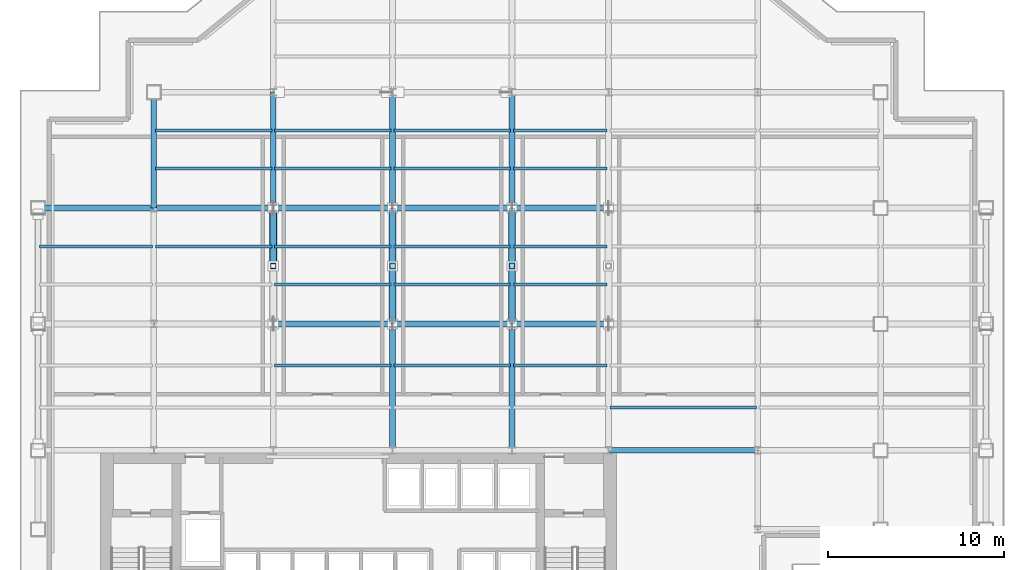
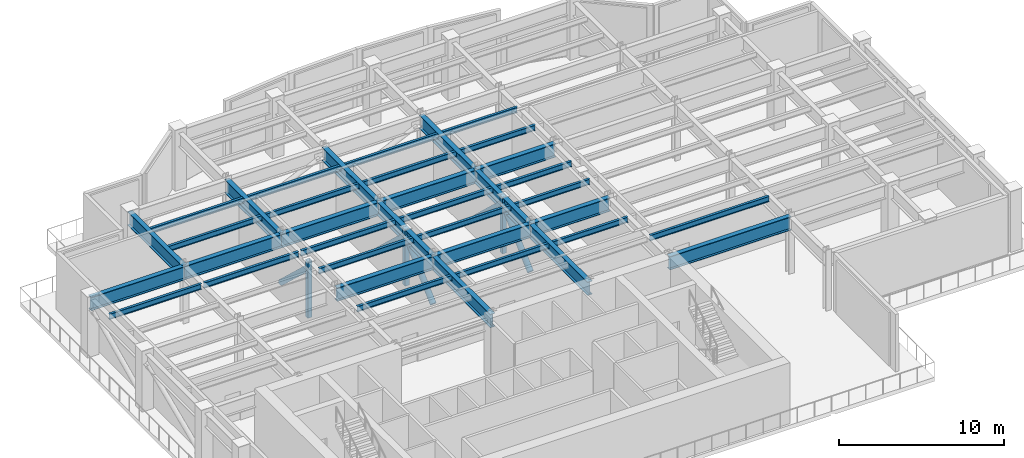
# One storey, part 2 of 12: 37 beams, 8 members.
"""IFC4 building model written with IfcOpenShell, lengths in metres."""

from ifc_helpers import new_model, si_unit, derived_unit, direction, frame, origin, origin_2d, place, context, subcontext, project, spatial, hollow_rectangle, hollow_circle, i_section, extrude, source, transform, mapped, material, material_profile, profile_set, type_object, element, save


model = new_model("IFC4")

# Units and contexts
model_context = context("Model", 3, precision=1e-05, world=origin(), true_north=direction((0.0, 1.0)))
body_context = subcontext(model_context, "Body", "Model", "MODEL_VIEW")
ifc_project = project(units=[si_unit("LENGTHUNIT", "METRE"), si_unit("AREAUNIT", "SQUARE_METRE"), si_unit("VOLUMEUNIT", "CUBIC_METRE"), si_unit("PLANEANGLEUNIT", "RADIAN"), si_unit("MASSUNIT", "GRAM", prefix="KILO"), derived_unit("THERMALTRANSMITTANCEUNIT", [(si_unit("POWERUNIT", "WATT"), 1), (si_unit("LENGTHUNIT", "METRE"), -2), (si_unit("THERMODYNAMICTEMPERATUREUNIT", "KELVIN"), -1)])], contexts=[model_context])

# Site, building, storey
site_placement = place(None, origin())
site = spatial("IfcSite", under=ifc_project, at=site_placement, CompositionType="ELEMENT")
building_placement = place(site_placement, origin())
building = spatial("IfcBuilding", under=site, at=building_placement, Name="Skarnbrae Concourse Arena and Tower", CompositionType="ELEMENT")
storey_placement = place(building_placement, frame((0.0, 0.0, 136.10009765625)))
storey = spatial("IfcBuildingStorey", under=building, at=storey_placement, Name="L34", CompositionType="ELEMENT", Elevation=136.10009765625)

# Beams
ifc_material = material(Name="Steel CSA G40.21 350W", Category="steel")
ifc_material_profile_1 = material_profile(ifc_material, i_section(OverallWidth=0.327880859375, OverallDepth=1.0, WebThickness=0.02099609375, FlangeThickness=0.03759765625, at=origin_2d()), Name="W1000X371")
ifc_profile_set_1 = profile_set([ifc_material_profile_1], Name="Steel CSA G40.21 350W")
beam_type_1 = type_object("IfcBeamType", Name="BM-XFER-W1000X371", PredefinedType="BEAM", material=ifc_profile_set_1)
shared_shape_1 = source(origin(), body_context, "Body", "SweptSolid", [
    extrude(i_section(OverallWidth=0.327880859375, OverallDepth=1.0, WebThickness=0.02099609375, FlangeThickness=0.03759765625, at=origin_2d()), origin(), (0.0, 0.0, 1.0), 6.60009765625),
])
for number, where, z_axis, x_axis, name in (
    (1, (1.0, 27.800048828125, 3.699951171875), (1.0, 0.0, 0.0), (0.0, 1.0, 0.0), "L34 Primary E-W girder Y27.8-1"),
    (2, (21.199951171875, 21.199951171875, 3.699951171875), (0.0, 1.0, 0.0), (-1.0, 0.0, 0.0), "L34 Primary N-S girder X21.2-2"),
    (3, (28.0, 21.199951171875, 3.699951171875), (0.0, 1.0, 0.0), (-1.0, 0.0, 0.0), "L34 Primary N-S girder X28.0-2"),
):
    element("IfcBeam", number, at=place(storey_placement, frame(where, z_axis=z_axis, x_axis=x_axis)), inside=storey, type_object=beam_type_1, Name=name, PredefinedType="BEAM", context=body_context, shape_type="MappedRepresentation", body=[
        mapped(shared_shape_1, transform((0.0, 0.0, 0.0))),
    ])
shared_shape_2 = source(origin(), body_context, "Body", "SweptSolid", [
    extrude(i_section(OverallWidth=0.327880859375, OverallDepth=1.0, WebThickness=0.02099609375, FlangeThickness=0.03759765625, at=origin_2d()), origin(), (0.0, 0.0, 1.0), 6.7998046875),
])
beam_1_placement = place(storey_placement, frame((7.60009765625, 27.800048828125, 3.699951171875), z_axis=(1.0, 0.0, 0.0), x_axis=(0.0, 1.0, 0.0)))
element("IfcBeam", 4, at=beam_1_placement, inside=storey, type_object=beam_type_1, Name="L34 Primary E-W girder Y27.8-2", PredefinedType="BEAM", context=body_context, shape_type="MappedRepresentation", body=[
    mapped(shared_shape_2, transform((0.0, 0.0, 0.0))),
])
shared_shape_3 = source(origin(), body_context, "Body", "SweptSolid", [
    extrude(i_section(OverallWidth=0.327880859375, OverallDepth=1.0, WebThickness=0.02099609375, FlangeThickness=0.03759765625, at=origin_2d()), origin(), (0.0, 0.0, 1.0), 6.800048828125),
])
for number, where, z_axis, x_axis, name in (
    (5, (14.39990234375, 21.199951171875, 3.699951171875), (1.0, 0.0, 0.0), (0.0, 1.0, 0.0), "L34 Primary E-W girder Y21.2-3"),
    (6, (21.199951171875, 21.199951171875, 3.699951171875), (1.0, 0.0, 0.0), (0.0, 1.0, 0.0), "L34 Primary E-W girder Y21.2-4"),
    (7, (14.39990234375, 27.800048828125, 3.699951171875), (1.0, 0.0, 0.0), (0.0, 1.0, 0.0), "L34 Primary E-W girder Y27.8-3"),
    (8, (21.199951171875, 27.800048828125, 3.699951171875), (1.0, 0.0, 0.0), (0.0, 1.0, 0.0), "L34 Primary E-W girder Y27.8-4"),
):
    element("IfcBeam", number, at=place(storey_placement, frame(where, z_axis=z_axis, x_axis=x_axis)), inside=storey, type_object=beam_type_1, Name=name, PredefinedType="BEAM", context=body_context, shape_type="MappedRepresentation", body=[
        mapped(shared_shape_3, transform((0.0, 0.0, 0.0))),
    ])
shared_shape_4 = source(origin(), body_context, "Body", "SweptSolid", [
    extrude(i_section(OverallWidth=0.327880859375, OverallDepth=1.0, WebThickness=0.02099609375, FlangeThickness=0.03759765625, at=origin_2d()), origin(), (0.0, 0.0, 1.0), 5.5),
])
for number, where, z_axis, x_axis, name in (
    (9, (28.0, 21.199951171875, 3.699951171875), (1.0, 0.0, 0.0), (0.0, 1.0, 0.0), "L34 Primary E-W girder Y21.2-5"),
    (10, (28.0, 27.800048828125, 3.699951171875), (1.0, 0.0, 0.0), (0.0, 1.0, 0.0), "L34 Primary E-W girder Y27.8-5"),
):
    element("IfcBeam", number, at=place(storey_placement, frame(where, z_axis=z_axis, x_axis=x_axis)), inside=storey, type_object=beam_type_1, Name=name, PredefinedType="BEAM", context=body_context, shape_type="MappedRepresentation", body=[
        mapped(shared_shape_4, transform((0.0, 0.0, 0.0))),
    ])
shared_shape_5 = source(origin(), body_context, "Body", "SweptSolid", [
    extrude(i_section(OverallWidth=0.327880859375, OverallDepth=1.0, WebThickness=0.02099609375, FlangeThickness=0.03759765625, at=origin_2d()), origin(), (0.0, 0.0, 1.0), 8.5),
])
beam_2_placement = place(storey_placement, frame((33.5, 14.0, 3.699951171875), z_axis=(1.0, 0.0, 0.0), x_axis=(0.0, 1.0, 0.0)))
element("IfcBeam", 11, at=beam_2_placement, inside=storey, type_object=beam_type_1, Name="L34 Primary E-W girder Y14.0-6", PredefinedType="BEAM", context=body_context, shape_type="MappedRepresentation", body=[
    mapped(shared_shape_5, transform((0.0, 0.0, 0.0))),
])
shared_shape_6 = source(origin(), body_context, "Body", "SweptSolid", [
    extrude(i_section(OverallWidth=0.327880859375, OverallDepth=1.0, WebThickness=0.02099609375, FlangeThickness=0.03759765625, at=origin_2d()), origin(), (0.0, 0.0, 1.0), 7.199951171875),
])
for number, where, z_axis, x_axis, name in (
    (12, (21.199951171875, 14.0, 3.699951171875), (0.0, 1.0, 0.0), (-1.0, 0.0, 0.0), "L34 Primary N-S girder X21.2-1"),
    (13, (28.0, 14.0, 3.699951171875), (0.0, 1.0, 0.0), (-1.0, 0.0, 0.0), "L34 Primary N-S girder X28.0-1"),
):
    element("IfcBeam", number, at=place(storey_placement, frame(where, z_axis=z_axis, x_axis=x_axis)), inside=storey, type_object=beam_type_1, Name=name, PredefinedType="BEAM", context=body_context, shape_type="MappedRepresentation", body=[
        mapped(shared_shape_6, transform((0.0, 0.0, 0.0))),
    ])
shared_shape_7 = source(origin(), body_context, "Body", "SweptSolid", [
    extrude(i_section(OverallWidth=0.327880859375, OverallDepth=1.0, WebThickness=0.02099609375, FlangeThickness=0.03759765625, at=origin_2d()), origin(), (0.0, 0.0, 1.0), 6.599853515625),
])
for number, where, z_axis, x_axis, name in (
    (14, (7.60009765625, 27.800048828125, 3.699951171875), (0.0, 1.0, 0.0), (-1.0, 0.0, 0.0), "L34 Primary N-S girder X7.6-3"),
    (15, (14.39990234375, 27.800048828125, 3.699951171875), (0.0, 1.0, 0.0), (-1.0, 0.0, 0.0), "L34 Primary N-S girder X14.4-3"),
    (16, (21.199951171875, 27.800048828125, 3.699951171875), (0.0, 1.0, 0.0), (-1.0, 0.0, 0.0), "L34 Primary N-S girder X21.2-3"),
    (17, (28.0, 27.800048828125, 3.699951171875), (0.0, 1.0, 0.0), (-1.0, 0.0, 0.0), "L34 Primary N-S girder X28.0-3"),
):
    element("IfcBeam", number, at=place(storey_placement, frame(where, z_axis=z_axis, x_axis=x_axis)), inside=storey, type_object=beam_type_1, Name=name, PredefinedType="BEAM", context=body_context, shape_type="MappedRepresentation", body=[
        mapped(shared_shape_7, transform((0.0, 0.0, 0.0))),
    ])
ifc_material_profile_2 = material_profile(ifc_material, i_section(OverallWidth=0.177978515625, OverallDepth=0.406982421875, WebThickness=0.0078125, FlangeThickness=0.0126953125, at=origin_2d()), Name="W410X60")
ifc_profile_set_2 = profile_set([ifc_material_profile_2], Name="Steel CSA G40.21 350W")
beam_type_2 = type_object("IfcBeamType", Name="BM-JOIST-W410X60", PredefinedType="JOIST", material=ifc_profile_set_2)
shared_shape_8 = source(origin(), body_context, "Body", "SweptSolid", [
    extrude(i_section(OverallWidth=0.177978515625, OverallDepth=0.406982421875, WebThickness=0.0078125, FlangeThickness=0.0126953125, at=origin_2d()), origin(), (0.0, 0.0, 1.0), 6.43994140625),
])
beam_3_placement = place(storey_placement, frame((1.080078125, 25.6220703125, 3.996337890625), z_axis=(1.0, 0.0, 0.0), x_axis=(0.0, 1.0, 0.0)))
element("IfcBeam", 18, at=beam_3_placement, inside=storey, type_object=beam_type_2, Name="L34 Secondary floor joist 2.2.1", PredefinedType="JOIST", context=body_context, shape_type="MappedRepresentation", body=[
    mapped(shared_shape_8, transform((0.0, 0.0, 0.0))),
])
shared_shape_9 = source(origin(), body_context, "Body", "SweptSolid", [
    extrude(i_section(OverallWidth=0.177978515625, OverallDepth=0.406982421875, WebThickness=0.0078125, FlangeThickness=0.0126953125, at=origin_2d()), origin(), (0.0, 0.0, 1.0), 6.64013671875),
])
for number, where, z_axis, x_axis, name in (
    (19, (14.47998046875, 18.823974609375, 3.996337890625), (1.0, 0.0, 0.0), (0.0, 1.0, 0.0), "L34 Secondary floor joist 1.2.3"),
    (20, (14.47998046875, 23.444091796875, 3.996337890625), (1.0, 0.0, 0.0), (0.0, 1.0, 0.0), "L34 Secondary floor joist 2.1.3"),
    (21, (7.679931640625, 25.6220703125, 3.996337890625), (1.0, 0.0, 0.0), (0.0, 1.0, 0.0), "L34 Secondary floor joist 2.2.2"),
    (22, (14.47998046875, 25.6220703125, 3.996337890625), (1.0, 0.0, 0.0), (0.0, 1.0, 0.0), "L34 Secondary floor joist 2.2.3"),
    (23, (7.679931640625, 30.0439453125, 3.996337890625), (1.0, 0.0, 0.0), (0.0, 1.0, 0.0), "L34 Secondary floor joist 3.1.1"),
    (24, (14.47998046875, 30.0439453125, 3.996337890625), (1.0, 0.0, 0.0), (0.0, 1.0, 0.0), "L34 Secondary floor joist 3.1.2"),
    (25, (7.679931640625, 32.221923828125, 3.996337890625), (1.0, 0.0, 0.0), (0.0, 1.0, 0.0), "L34 Secondary floor joist 3.2.1"),
    (26, (14.47998046875, 32.221923828125, 3.996337890625), (1.0, 0.0, 0.0), (0.0, 1.0, 0.0), "L34 Secondary floor joist 3.2.2"),
):
    element("IfcBeam", number, at=place(storey_placement, frame(where, z_axis=z_axis, x_axis=x_axis)), inside=storey, type_object=beam_type_2, Name=name, PredefinedType="JOIST", context=body_context, shape_type="MappedRepresentation", body=[
        mapped(shared_shape_9, transform((0.0, 0.0, 0.0))),
    ])
shared_shape_10 = source(origin(), body_context, "Body", "SweptSolid", [
    extrude(i_section(OverallWidth=0.177978515625, OverallDepth=0.406982421875, WebThickness=0.0078125, FlangeThickness=0.0126953125, at=origin_2d()), origin(), (0.0, 0.0, 1.0), 6.639892578125),
])
for number, where, z_axis, x_axis, name in (
    (27, (21.280029296875, 18.823974609375, 3.996337890625), (1.0, 0.0, 0.0), (0.0, 1.0, 0.0), "L34 Secondary floor joist 1.2.4"),
    (28, (21.280029296875, 23.444091796875, 3.996337890625), (1.0, 0.0, 0.0), (0.0, 1.0, 0.0), "L34 Secondary floor joist 2.1.4"),
    (29, (21.280029296875, 25.6220703125, 3.996337890625), (1.0, 0.0, 0.0), (0.0, 1.0, 0.0), "L34 Secondary floor joist 2.2.4"),
    (30, (21.280029296875, 30.0439453125, 3.996337890625), (1.0, 0.0, 0.0), (0.0, 1.0, 0.0), "L34 Secondary floor joist 3.1.3"),
    (31, (21.280029296875, 32.221923828125, 3.996337890625), (1.0, 0.0, 0.0), (0.0, 1.0, 0.0), "L34 Secondary floor joist 3.2.3"),
):
    element("IfcBeam", number, at=place(storey_placement, frame(where, z_axis=z_axis, x_axis=x_axis)), inside=storey, type_object=beam_type_2, Name=name, PredefinedType="JOIST", context=body_context, shape_type="MappedRepresentation", body=[
        mapped(shared_shape_10, transform((0.0, 0.0, 0.0))),
    ])
shared_shape_11 = source(origin(), body_context, "Body", "SweptSolid", [
    extrude(i_section(OverallWidth=0.177978515625, OverallDepth=0.406982421875, WebThickness=0.0078125, FlangeThickness=0.0126953125, at=origin_2d()), origin(), (0.0, 0.0, 1.0), 5.33984375),
])
for number, where, z_axis, x_axis, name in (
    (32, (28.080078125, 18.823974609375, 3.996337890625), (1.0, 0.0, 0.0), (0.0, 1.0, 0.0), "L34 Secondary floor joist 1.2.5"),
    (33, (28.080078125, 23.444091796875, 3.996337890625), (1.0, 0.0, 0.0), (0.0, 1.0, 0.0), "L34 Secondary floor joist 2.1.5"),
    (34, (28.080078125, 25.6220703125, 3.996337890625), (1.0, 0.0, 0.0), (0.0, 1.0, 0.0), "L34 Secondary floor joist 2.2.5"),
    (35, (28.080078125, 30.0439453125, 3.996337890625), (1.0, 0.0, 0.0), (0.0, 1.0, 0.0), "L34 Secondary floor joist 3.1.4"),
    (36, (28.080078125, 32.221923828125, 3.996337890625), (1.0, 0.0, 0.0), (0.0, 1.0, 0.0), "L34 Secondary floor joist 3.2.4"),
):
    element("IfcBeam", number, at=place(storey_placement, frame(where, z_axis=z_axis, x_axis=x_axis)), inside=storey, type_object=beam_type_2, Name=name, PredefinedType="JOIST", context=body_context, shape_type="MappedRepresentation", body=[
        mapped(shared_shape_11, transform((0.0, 0.0, 0.0))),
    ])
shared_shape_12 = source(origin(), body_context, "Body", "SweptSolid", [
    extrude(i_section(OverallWidth=0.177978515625, OverallDepth=0.406982421875, WebThickness=0.0078125, FlangeThickness=0.0126953125, at=origin_2d()), origin(), (0.0, 0.0, 1.0), 8.33984375),
])
beam_4_placement = place(storey_placement, frame((33.580078125, 16.447998046875, 3.996337890625), z_axis=(1.0, 0.0, 0.0), x_axis=(0.0, 1.0, 0.0)))
element("IfcBeam", 37, at=beam_4_placement, inside=storey, type_object=beam_type_2, Name="L34 Secondary floor joist 1.1.6", PredefinedType="JOIST", context=body_context, shape_type="MappedRepresentation", body=[
    mapped(shared_shape_12, transform((0.0, 0.0, 0.0))),
])

# Members
ifc_material_profile_3 = material_profile(ifc_material, hollow_circle(Radius=0.203125, WallThickness=0.02197265625, at=origin_2d()), Name="HSS406X22.0")
ifc_profile_set_3 = profile_set([ifc_material_profile_3], Name="Steel CSA G40.21 350W")
member_type_1 = type_object("IfcMemberType", Name="MEM-OUTRIG-CHS406", PredefinedType="BRACE", material=ifc_profile_set_3)
shared_shape_13 = source(origin(), body_context, "Body", "SweptSolid", [
    extrude(hollow_circle(Radius=0.203125, WallThickness=0.02197265625, at=origin_2d()), origin(), (0.0, 0.0, 1.0), 4.52783203125),
])
for number, where, z_axis, x_axis, name in (
    (38, (14.39990234375, 24.5, 3.64990234375), (0.0, 0.728842364395, -0.684681537551), (-1.0, 0.0, 0.0), "L34 Core outrigger trusses diagonal O1.2"),
    (39, (21.199951171875, 21.199951171875, 0.5498046875), (0.0, 0.728842364395, 0.684681537551), (-1.0, 0.0, 0.0), "L34 Core outrigger trusses diagonal O2.1"),
    (40, (21.199951171875, 24.5, 3.64990234375), (0.0, 0.728842364395, -0.684681537551), (-1.0, 0.0, 0.0), "L34 Core outrigger trusses diagonal O2.2"),
    (41, (28.0, 21.199951171875, 0.5498046875), (0.0, 0.728842364395, 0.684681537551), (-1.0, 0.0, 0.0), "L34 Core outrigger trusses diagonal O3.1"),
    (42, (28.0, 24.5, 3.64990234375), (0.0, 0.728842364395, -0.684681537551), (-1.0, 0.0, 0.0), "L34 Core outrigger trusses diagonal O3.2"),
):
    element("IfcMember", number, at=place(storey_placement, frame(where, z_axis=z_axis, x_axis=x_axis)), inside=storey, type_object=member_type_1, Name=name, PredefinedType="BRACE", context=body_context, shape_type="MappedRepresentation", body=[
        mapped(shared_shape_13, transform((0.0, 0.0, 0.0))),
    ])
ifc_material_profile_4 = material_profile(ifc_material, hollow_rectangle(XDim=0.3046875, YDim=0.3046875, WallThickness=0.015869140625, at=origin_2d()), Name="HSS305X305X15.9")
ifc_profile_set_4 = profile_set([ifc_material_profile_4], Name="Steel CSA G40.21 350W")
member_type_2 = type_object("IfcMemberType", Name="MEM-POST-HSS305", PredefinedType="POST", material=ifc_profile_set_4)
shared_shape_14 = source(origin(), body_context, "Body", "SweptSolid", [
    extrude(hollow_rectangle(XDim=0.3046875, YDim=0.3046875, WallThickness=0.015869140625, at=origin_2d()), origin(), (0.0, 0.0, 1.0), 4.199951171875),
])
for number, where, z_axis, x_axis, name in (
    (43, (14.39990234375, 24.5, 0.0), (0.0, 0.0, 1.0), (1.0, 0.0, 0.0), "L34 Outrigger truss mid-post O1"),
    (44, (21.199951171875, 24.5, 0.0), (0.0, 0.0, 1.0), (1.0, 0.0, 0.0), "L34 Outrigger truss mid-post O2"),
    (45, (28.0, 24.5, 0.0), (0.0, 0.0, 1.0), (1.0, 0.0, 0.0), "L34 Outrigger truss mid-post O3"),
):
    element("IfcMember", number, at=place(storey_placement, frame(where, z_axis=z_axis, x_axis=x_axis)), inside=storey, type_object=member_type_2, Name=name, PredefinedType="POST", context=body_context, shape_type="MappedRepresentation", body=[
        mapped(shared_shape_14, transform((0.0, 0.0, 0.0))),
    ])

save(model, "model.ifc")
